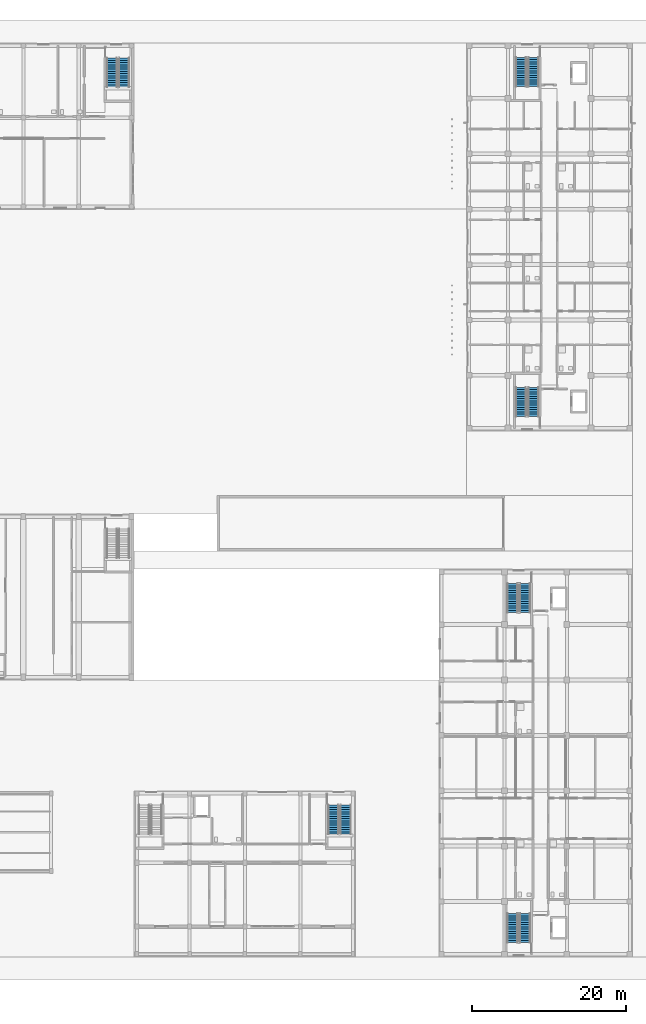
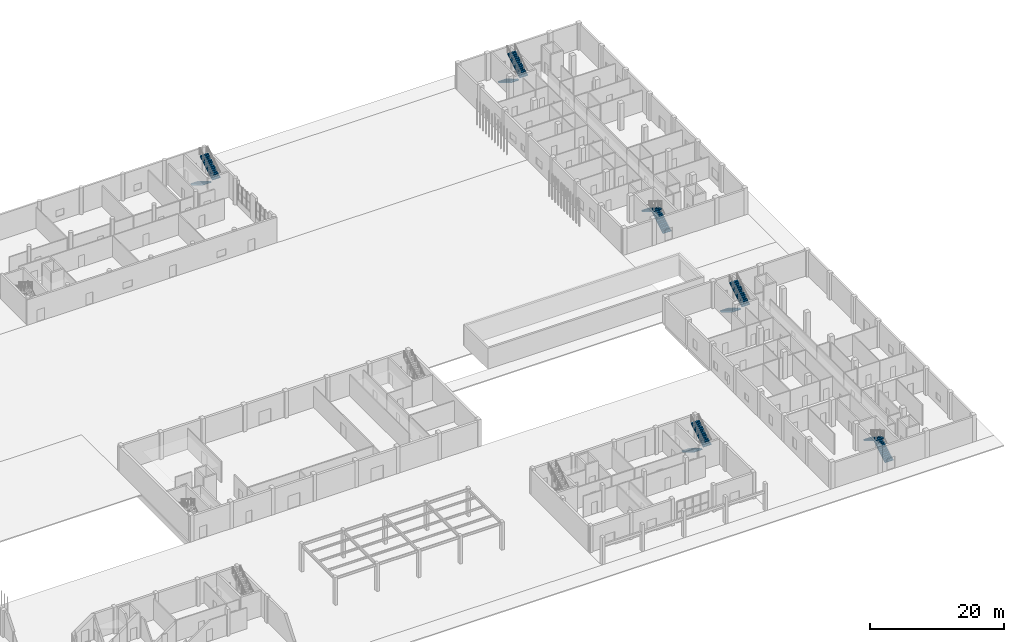
# One storey, part 57 of 85: 12 stair flights, 6 elements without a shape of their own.
"""IFC4 building model written with IfcOpenShell, lengths in metres."""

from ifc_helpers import new_model, si_unit, derived_unit, direction, frame, origin, place, context, subcontext, project, spatial, polyline, outline, extrude, material, type_object, element, aggregate, save


model = new_model("IFC4")

# Units and contexts
model_context = context("Model", 3, precision=1e-05, world=origin(), true_north=direction((0.0, 1.0)))
body_context = subcontext(model_context, "Body", "Model", "MODEL_VIEW")
ifc_project = project(units=[si_unit("LENGTHUNIT", "METRE"), si_unit("AREAUNIT", "SQUARE_METRE"), si_unit("VOLUMEUNIT", "CUBIC_METRE"), si_unit("PLANEANGLEUNIT", "RADIAN"), si_unit("MASSUNIT", "GRAM", prefix="KILO"), derived_unit("THERMALTRANSMITTANCEUNIT", [(si_unit("MASSUNIT", "GRAM", prefix="KILO"), 1), (si_unit("TIMEUNIT", "SECOND"), -3), (si_unit("THERMODYNAMICTEMPERATUREUNIT", "KELVIN"), -1)])], contexts=[model_context])

# Site, building, storey
site_placement = place(None, origin())
site = spatial("IfcSite", under=ifc_project, at=site_placement, CompositionType="ELEMENT")
building_placement = place(site_placement, origin())
building = spatial("IfcBuilding", under=site, at=building_placement, Name="Ochrekiln Boulevard Commons", CompositionType="ELEMENT")
storey_placement = place(building_placement, origin())
storey = spatial("IfcBuildingStorey", under=building, at=storey_placement, Name="L00", CompositionType="ELEMENT", Elevation=0.0)

# Stair, stair flights
ifc_material = material(Name="Concrete C35/45", Category="concrete")
stair_type = type_object("IfcStairType", Name="STR-DL-490", PredefinedType="TWO_STRAIGHT_RUN_STAIR", material=ifc_material)
stair_1_placement = place(storey_placement, origin())
stair_1 = element("IfcStair", 1, at=stair_1_placement, inside=storey, type_object=stair_type, Name="L00 Enclosed Exit Stair ST-B1", PredefinedType="TWO_STRAIGHT_RUN_STAIR")
stair_flight_type = type_object("IfcStairFlightType", Name="SFL-ST-490", PredefinedType="STRAIGHT", material=ifc_material)
stair_flight_1_placement = place(storey_placement, frame((159.89990234375, 70.27001953125, 0.0), z_axis=(0.0, 0.0, 1.0), x_axis=(0.0, 1.0, 0.0)))
stair_flight_1 = element("IfcStairFlight", 2, at=stair_flight_1_placement, type_object=stair_flight_type, Name="ST-B1 flight 1", NumberOfRisers=14, NumberOfTreads=13, PredefinedType="STRAIGHT", RiserHeight=0.175, TreadLength=0.29, context=body_context, shape_type="SweptSolid", body=[
    extrude(outline(polyline([(0.0, 0.0), (0.0, 0.175048828125), (0.2900390625, 0.175048828125), (0.2900390625, 0.35009765625), (0.580078125, 0.35009765625), (0.580078125, 0.52490234375), (0.8701171875, 0.52490234375), (0.8701171875, 0.699951171875), (1.159912109375, 0.699951171875), (1.159912109375, 0.875), (1.449951171875, 0.875), (1.449951171875, 1.050048828125), (1.739990234375, 1.050048828125), (1.739990234375, 1.22509765625), (2.030029296875, 1.22509765625), (2.030029296875, 1.39990234375), (2.320068359375, 1.39990234375), (2.320068359375, 1.574951171875), (2.610107421875, 1.574951171875), (2.610107421875, 1.75), (2.89990234375, 1.75), (2.89990234375, 1.925048828125), (3.18994140625, 1.925048828125), (3.18994140625, 2.10009765625), (3.47998046875, 2.10009765625), (3.47998046875, 2.27490234375), (3.77001953125, 2.27490234375), (3.77001953125, 2.449951171875), (3.77001953125, 2.088134765625), (0.3095703125, 0.0), (0.0, 0.0)])), frame((0.0, 0.699951171875, 0.0), z_axis=(0.0, -1.0, 0.0), x_axis=(1.0, 0.0, 0.0)), (0.0, 0.0, 1.0), 1.39990234375),
])
stair_flight_2_placement = place(storey_placement, frame((158.300048828125, 74.0400390625, 2.449951171875), z_axis=(0.0, 0.0, 1.0), x_axis=(0.0, -1.0, 0.0)))
stair_flight_2 = element("IfcStairFlight", 3, at=stair_flight_2_placement, type_object=stair_flight_type, Name="ST-B1 flight 2", NumberOfRisers=14, NumberOfTreads=13, PredefinedType="STRAIGHT", RiserHeight=0.175, TreadLength=0.29, context=body_context, shape_type="SweptSolid", body=[
    extrude(outline(polyline([(0.0, 0.0), (0.0, 0.175048828125), (0.2900390625, 0.175048828125), (0.2900390625, 0.35009765625), (0.580078125, 0.35009765625), (0.580078125, 0.52490234375), (0.8701171875, 0.52490234375), (0.8701171875, 0.699951171875), (1.159912109375, 0.699951171875), (1.159912109375, 0.875), (1.449951171875, 0.875), (1.449951171875, 1.050048828125), (1.739990234375, 1.050048828125), (1.739990234375, 1.22509765625), (2.030029296875, 1.22509765625), (2.030029296875, 1.39990234375), (2.320068359375, 1.39990234375), (2.320068359375, 1.574951171875), (2.610107421875, 1.574951171875), (2.610107421875, 1.75), (2.89990234375, 1.75), (2.89990234375, 1.925048828125), (3.18994140625, 1.925048828125), (3.18994140625, 2.10009765625), (3.47998046875, 2.10009765625), (3.47998046875, 2.27490234375), (3.77001953125, 2.27490234375), (3.77001953125, 2.449951171875), (3.77001953125, 2.088134765625), (0.3095703125, 0.0), (0.0, 0.0)])), frame((0.0, 0.699951171875, 0.0), z_axis=(0.0, -1.0, 0.0), x_axis=(1.0, 0.0, 0.0)), (0.0, 0.0, 1.0), 1.39990234375),
])
aggregate(stair_1, [stair_flight_1, stair_flight_2])

stair_2_placement = place(storey_placement, origin())
stair_2 = element("IfcStair", 4, at=stair_2_placement, inside=storey, type_object=stair_type, Name="L00 Enclosed Exit Stair ST-B2", PredefinedType="TWO_STRAIGHT_RUN_STAIR")
stair_flight_3_placement = place(storey_placement, frame((158.300048828125, 116.929931640625, 0.0), z_axis=(0.0, 0.0, 1.0), x_axis=(0.0, -1.0, 0.0)))
stair_flight_3 = element("IfcStairFlight", 5, at=stair_flight_3_placement, type_object=stair_flight_type, Name="ST-B2 flight 1", NumberOfRisers=14, NumberOfTreads=13, PredefinedType="STRAIGHT", RiserHeight=0.175, TreadLength=0.29, context=body_context, shape_type="SweptSolid", body=[
    extrude(outline(polyline([(0.0, 0.0), (0.0, 0.175048828125), (0.2900390625, 0.175048828125), (0.2900390625, 0.35009765625), (0.580078125, 0.35009765625), (0.580078125, 0.52490234375), (0.8701171875, 0.52490234375), (0.8701171875, 0.699951171875), (1.159912109375, 0.699951171875), (1.159912109375, 0.875), (1.449951171875, 0.875), (1.449951171875, 1.050048828125), (1.739990234375, 1.050048828125), (1.739990234375, 1.22509765625), (2.030029296875, 1.22509765625), (2.030029296875, 1.39990234375), (2.320068359375, 1.39990234375), (2.320068359375, 1.574951171875), (2.610107421875, 1.574951171875), (2.610107421875, 1.75), (2.89990234375, 1.75), (2.89990234375, 1.925048828125), (3.18994140625, 1.925048828125), (3.18994140625, 2.10009765625), (3.47998046875, 2.10009765625), (3.47998046875, 2.27490234375), (3.77001953125, 2.27490234375), (3.77001953125, 2.449951171875), (3.77001953125, 2.088134765625), (0.3095703125, 0.0), (0.0, 0.0)])), frame((0.0, 0.699951171875, 0.0), z_axis=(0.0, -1.0, 0.0), x_axis=(1.0, 0.0, 0.0)), (0.0, 0.0, 1.0), 1.39990234375),
])
stair_flight_4_placement = place(storey_placement, frame((159.89990234375, 113.159912109375, 2.449951171875), z_axis=(0.0, 0.0, 1.0), x_axis=(0.0, 1.0, 0.0)))
stair_flight_4 = element("IfcStairFlight", 6, at=stair_flight_4_placement, type_object=stair_flight_type, Name="ST-B2 flight 2", NumberOfRisers=14, NumberOfTreads=13, PredefinedType="STRAIGHT", RiserHeight=0.175, TreadLength=0.29, context=body_context, shape_type="SweptSolid", body=[
    extrude(outline(polyline([(0.0, 0.0), (0.0, 0.175048828125), (0.2900390625, 0.175048828125), (0.2900390625, 0.35009765625), (0.580078125, 0.35009765625), (0.580078125, 0.52490234375), (0.8701171875, 0.52490234375), (0.8701171875, 0.699951171875), (1.159912109375, 0.699951171875), (1.159912109375, 0.875), (1.449951171875, 0.875), (1.449951171875, 1.050048828125), (1.739990234375, 1.050048828125), (1.739990234375, 1.22509765625), (2.030029296875, 1.22509765625), (2.030029296875, 1.39990234375), (2.320068359375, 1.39990234375), (2.320068359375, 1.574951171875), (2.610107421875, 1.574951171875), (2.610107421875, 1.75), (2.89990234375, 1.75), (2.89990234375, 1.925048828125), (3.18994140625, 1.925048828125), (3.18994140625, 2.10009765625), (3.47998046875, 2.10009765625), (3.47998046875, 2.27490234375), (3.77001953125, 2.27490234375), (3.77001953125, 2.449951171875), (3.77001953125, 2.088134765625), (0.3095703125, 0.0), (0.0, 0.0)])), frame((0.0, 0.699951171875, 0.0), z_axis=(0.0, -1.0, 0.0), x_axis=(1.0, 0.0, 0.0)), (0.0, 0.0, 1.0), 1.39990234375),
])
aggregate(stair_2, [stair_flight_3, stair_flight_4])

stair_3_placement = place(storey_placement, origin())
stair_3 = element("IfcStair", 7, at=stair_3_placement, inside=storey, type_object=stair_type, Name="L00 Enclosed Exit Stair ST-C1", PredefinedType="TWO_STRAIGHT_RUN_STAIR")
stair_flight_5_placement = place(storey_placement, frame((158.800048828125, 1.8701171875, 0.0), z_axis=(0.0, 0.0, 1.0), x_axis=(0.0, 1.0, 0.0)))
stair_flight_5 = element("IfcStairFlight", 8, at=stair_flight_5_placement, type_object=stair_flight_type, Name="ST-C1 flight 1", NumberOfRisers=14, NumberOfTreads=13, PredefinedType="STRAIGHT", RiserHeight=0.175, TreadLength=0.29, context=body_context, shape_type="SweptSolid", body=[
    extrude(outline(polyline([(0.0, 0.0), (0.0, 0.175048828125), (0.2900390625, 0.175048828125), (0.2900390625, 0.35009765625), (0.580078125, 0.35009765625), (0.580078125, 0.52490234375), (0.8701171875, 0.52490234375), (0.8701171875, 0.699951171875), (1.159912109375, 0.699951171875), (1.159912109375, 0.875), (1.449951171875, 0.875), (1.449951171875, 1.050048828125), (1.739990234375, 1.050048828125), (1.739990234375, 1.22509765625), (2.030029296875, 1.22509765625), (2.030029296875, 1.39990234375), (2.320068359375, 1.39990234375), (2.320068359375, 1.574951171875), (2.610107421875, 1.574951171875), (2.610107421875, 1.75), (2.89990234375, 1.75), (2.89990234375, 1.925048828125), (3.18994140625, 1.925048828125), (3.18994140625, 2.10009765625), (3.47998046875, 2.10009765625), (3.47998046875, 2.27490234375), (3.77001953125, 2.27490234375), (3.77001953125, 2.449951171875), (3.77001953125, 2.088134765625), (0.3095703125, 0.0), (0.0, 0.0)])), frame((0.0, 0.699951171875, 0.0), z_axis=(0.0, -1.0, 0.0), x_axis=(1.0, 0.0, 0.0)), (0.0, 0.0, 1.0), 1.39990234375),
])
stair_flight_6_placement = place(storey_placement, frame((157.199951171875, 5.639892578125, 2.449951171875), z_axis=(0.0, 0.0, 1.0), x_axis=(0.0, -1.0, 0.0)))
stair_flight_6 = element("IfcStairFlight", 9, at=stair_flight_6_placement, type_object=stair_flight_type, Name="ST-C1 flight 2", NumberOfRisers=14, NumberOfTreads=13, PredefinedType="STRAIGHT", RiserHeight=0.175, TreadLength=0.29, context=body_context, shape_type="SweptSolid", body=[
    extrude(outline(polyline([(0.0, 0.0), (0.0, 0.175048828125), (0.2900390625, 0.175048828125), (0.2900390625, 0.35009765625), (0.580078125, 0.35009765625), (0.580078125, 0.52490234375), (0.8701171875, 0.52490234375), (0.8701171875, 0.699951171875), (1.159912109375, 0.699951171875), (1.159912109375, 0.875), (1.449951171875, 0.875), (1.449951171875, 1.050048828125), (1.739990234375, 1.050048828125), (1.739990234375, 1.22509765625), (2.030029296875, 1.22509765625), (2.030029296875, 1.39990234375), (2.320068359375, 1.39990234375), (2.320068359375, 1.574951171875), (2.610107421875, 1.574951171875), (2.610107421875, 1.75), (2.89990234375, 1.75), (2.89990234375, 1.925048828125), (3.18994140625, 1.925048828125), (3.18994140625, 2.10009765625), (3.47998046875, 2.10009765625), (3.47998046875, 2.27490234375), (3.77001953125, 2.27490234375), (3.77001953125, 2.449951171875), (3.77001953125, 2.088134765625), (0.3095703125, 0.0), (0.0, 0.0)])), frame((0.0, 0.699951171875, 0.0), z_axis=(0.0, -1.0, 0.0), x_axis=(1.0, 0.0, 0.0)), (0.0, 0.0, 1.0), 1.39990234375),
])
aggregate(stair_3, [stair_flight_5, stair_flight_6])

stair_4_placement = place(storey_placement, origin())
stair_4 = element("IfcStair", 10, at=stair_4_placement, inside=storey, type_object=stair_type, Name="L00 Enclosed Exit Stair ST-C2", PredefinedType="TWO_STRAIGHT_RUN_STAIR")
stair_flight_7_placement = place(storey_placement, frame((157.199951171875, 48.530029296875, 0.0), z_axis=(0.0, 0.0, 1.0), x_axis=(0.0, -1.0, 0.0)))
stair_flight_7 = element("IfcStairFlight", 11, at=stair_flight_7_placement, type_object=stair_flight_type, Name="ST-C2 flight 1", NumberOfRisers=14, NumberOfTreads=13, PredefinedType="STRAIGHT", RiserHeight=0.175, TreadLength=0.29, context=body_context, shape_type="SweptSolid", body=[
    extrude(outline(polyline([(0.0, 0.0), (0.0, 0.175048828125), (0.2900390625, 0.175048828125), (0.2900390625, 0.35009765625), (0.580078125, 0.35009765625), (0.580078125, 0.52490234375), (0.8701171875, 0.52490234375), (0.8701171875, 0.699951171875), (1.159912109375, 0.699951171875), (1.159912109375, 0.875), (1.449951171875, 0.875), (1.449951171875, 1.050048828125), (1.739990234375, 1.050048828125), (1.739990234375, 1.22509765625), (2.030029296875, 1.22509765625), (2.030029296875, 1.39990234375), (2.320068359375, 1.39990234375), (2.320068359375, 1.574951171875), (2.610107421875, 1.574951171875), (2.610107421875, 1.75), (2.89990234375, 1.75), (2.89990234375, 1.925048828125), (3.18994140625, 1.925048828125), (3.18994140625, 2.10009765625), (3.47998046875, 2.10009765625), (3.47998046875, 2.27490234375), (3.77001953125, 2.27490234375), (3.77001953125, 2.449951171875), (3.77001953125, 2.088134765625), (0.3095703125, 0.0), (0.0, 0.0)])), frame((0.0, 0.699951171875, 0.0), z_axis=(0.0, -1.0, 0.0), x_axis=(1.0, 0.0, 0.0)), (0.0, 0.0, 1.0), 1.39990234375),
])
stair_flight_8_placement = place(storey_placement, frame((158.800048828125, 44.760009765625, 2.449951171875), z_axis=(0.0, 0.0, 1.0), x_axis=(0.0, 1.0, 0.0)))
stair_flight_8 = element("IfcStairFlight", 12, at=stair_flight_8_placement, type_object=stair_flight_type, Name="ST-C2 flight 2", NumberOfRisers=14, NumberOfTreads=13, PredefinedType="STRAIGHT", RiserHeight=0.175, TreadLength=0.29, context=body_context, shape_type="SweptSolid", body=[
    extrude(outline(polyline([(0.0, 0.0), (0.0, 0.175048828125), (0.2900390625, 0.175048828125), (0.2900390625, 0.35009765625), (0.580078125, 0.35009765625), (0.580078125, 0.52490234375), (0.8701171875, 0.52490234375), (0.8701171875, 0.699951171875), (1.159912109375, 0.699951171875), (1.159912109375, 0.875), (1.449951171875, 0.875), (1.449951171875, 1.050048828125), (1.739990234375, 1.050048828125), (1.739990234375, 1.22509765625), (2.030029296875, 1.22509765625), (2.030029296875, 1.39990234375), (2.320068359375, 1.39990234375), (2.320068359375, 1.574951171875), (2.610107421875, 1.574951171875), (2.610107421875, 1.75), (2.89990234375, 1.75), (2.89990234375, 1.925048828125), (3.18994140625, 1.925048828125), (3.18994140625, 2.10009765625), (3.47998046875, 2.10009765625), (3.47998046875, 2.27490234375), (3.77001953125, 2.27490234375), (3.77001953125, 2.449951171875), (3.77001953125, 2.088134765625), (0.3095703125, 0.0), (0.0, 0.0)])), frame((0.0, 0.699951171875, 0.0), z_axis=(0.0, -1.0, 0.0), x_axis=(1.0, 0.0, 0.0)), (0.0, 0.0, 1.0), 1.39990234375),
])
aggregate(stair_4, [stair_flight_7, stair_flight_8])

stair_5_placement = place(storey_placement, origin())
stair_5 = element("IfcStair", 13, at=stair_5_placement, inside=storey, type_object=stair_type, Name="L00 Enclosed Exit Stair ST-N2", PredefinedType="TWO_STRAIGHT_RUN_STAIR")
stair_flight_9_placement = place(storey_placement, frame((105.10009765625, 116.85009765625, 0.0), z_axis=(0.0, 0.0, 1.0), x_axis=(0.0, -1.0, 0.0)))
stair_flight_9 = element("IfcStairFlight", 14, at=stair_flight_9_placement, type_object=stair_flight_type, Name="ST-N2 flight 1", NumberOfRisers=14, NumberOfTreads=13, PredefinedType="STRAIGHT", RiserHeight=0.175, TreadLength=0.29, context=body_context, shape_type="SweptSolid", body=[
    extrude(outline(polyline([(0.0, 0.0), (0.0, 0.175048828125), (0.2900390625, 0.175048828125), (0.2900390625, 0.35009765625), (0.580078125, 0.35009765625), (0.580078125, 0.52490234375), (0.8701171875, 0.52490234375), (0.8701171875, 0.699951171875), (1.159912109375, 0.699951171875), (1.159912109375, 0.875), (1.449951171875, 0.875), (1.449951171875, 1.050048828125), (1.739990234375, 1.050048828125), (1.739990234375, 1.22509765625), (2.030029296875, 1.22509765625), (2.030029296875, 1.39990234375), (2.320068359375, 1.39990234375), (2.320068359375, 1.574951171875), (2.610107421875, 1.574951171875), (2.610107421875, 1.75), (2.89990234375, 1.75), (2.89990234375, 1.925048828125), (3.18994140625, 1.925048828125), (3.18994140625, 2.10009765625), (3.47998046875, 2.10009765625), (3.47998046875, 2.27490234375), (3.77001953125, 2.27490234375), (3.77001953125, 2.449951171875), (3.77001953125, 2.088134765625), (0.3095703125, 0.0), (0.0, 0.0)])), frame((0.0, 0.699951171875, 0.0), z_axis=(0.0, -1.0, 0.0), x_axis=(1.0, 0.0, 0.0)), (0.0, 0.0, 1.0), 1.39990234375),
])
stair_flight_10_placement = place(storey_placement, frame((106.699951171875, 113.080078125, 2.449951171875), z_axis=(0.0, 0.0, 1.0), x_axis=(0.0, 1.0, 0.0)))
stair_flight_10 = element("IfcStairFlight", 15, at=stair_flight_10_placement, type_object=stair_flight_type, Name="ST-N2 flight 2", NumberOfRisers=14, NumberOfTreads=13, PredefinedType="STRAIGHT", RiserHeight=0.175, TreadLength=0.29, context=body_context, shape_type="SweptSolid", body=[
    extrude(outline(polyline([(0.0, 0.0), (0.0, 0.175048828125), (0.2900390625, 0.175048828125), (0.2900390625, 0.35009765625), (0.580078125, 0.35009765625), (0.580078125, 0.52490234375), (0.8701171875, 0.52490234375), (0.8701171875, 0.699951171875), (1.159912109375, 0.699951171875), (1.159912109375, 0.875), (1.449951171875, 0.875), (1.449951171875, 1.050048828125), (1.739990234375, 1.050048828125), (1.739990234375, 1.22509765625), (2.030029296875, 1.22509765625), (2.030029296875, 1.39990234375), (2.320068359375, 1.39990234375), (2.320068359375, 1.574951171875), (2.610107421875, 1.574951171875), (2.610107421875, 1.75), (2.89990234375, 1.75), (2.89990234375, 1.925048828125), (3.18994140625, 1.925048828125), (3.18994140625, 2.10009765625), (3.47998046875, 2.10009765625), (3.47998046875, 2.27490234375), (3.77001953125, 2.27490234375), (3.77001953125, 2.449951171875), (3.77001953125, 2.088134765625), (0.3095703125, 0.0), (0.0, 0.0)])), frame((0.0, 0.699951171875, 0.0), z_axis=(0.0, -1.0, 0.0), x_axis=(1.0, 0.0, 0.0)), (0.0, 0.0, 1.0), 1.39990234375),
])
aggregate(stair_5, [stair_flight_9, stair_flight_10])

stair_6_placement = place(storey_placement, origin())
stair_6 = element("IfcStair", 16, at=stair_6_placement, inside=storey, type_object=stair_type, Name="L00 Enclosed Exit Stair ST-E2", PredefinedType="TWO_STRAIGHT_RUN_STAIR")
stair_flight_11_placement = place(storey_placement, frame((133.89990234375, 19.72998046875, 0.0), z_axis=(0.0, 0.0, 1.0), x_axis=(0.0, -1.0, 0.0)))
stair_flight_11 = element("IfcStairFlight", 17, at=stair_flight_11_placement, type_object=stair_flight_type, Name="ST-E2 flight 1", NumberOfRisers=14, NumberOfTreads=13, PredefinedType="STRAIGHT", RiserHeight=0.175, TreadLength=0.29, context=body_context, shape_type="SweptSolid", body=[
    extrude(outline(polyline([(0.0, 0.0), (0.0, 0.175048828125), (0.2900390625, 0.175048828125), (0.2900390625, 0.35009765625), (0.580078125, 0.35009765625), (0.580078125, 0.52490234375), (0.8701171875, 0.52490234375), (0.8701171875, 0.699951171875), (1.159912109375, 0.699951171875), (1.159912109375, 0.875), (1.449951171875, 0.875), (1.449951171875, 1.050048828125), (1.739990234375, 1.050048828125), (1.739990234375, 1.22509765625), (2.030029296875, 1.22509765625), (2.030029296875, 1.39990234375), (2.320068359375, 1.39990234375), (2.320068359375, 1.574951171875), (2.610107421875, 1.574951171875), (2.610107421875, 1.75), (2.89990234375, 1.75), (2.89990234375, 1.925048828125), (3.18994140625, 1.925048828125), (3.18994140625, 2.10009765625), (3.47998046875, 2.10009765625), (3.47998046875, 2.27490234375), (3.77001953125, 2.27490234375), (3.77001953125, 2.449951171875), (3.77001953125, 2.088134765625), (0.3095703125, 0.0), (0.0, 0.0)])), frame((0.0, 0.699951171875, 0.0), z_axis=(0.0, -1.0, 0.0), x_axis=(1.0, 0.0, 0.0)), (0.0, 0.0, 1.0), 1.39990234375),
])
stair_flight_12_placement = place(storey_placement, frame((135.5, 15.9599609375, 2.449951171875), z_axis=(0.0, 0.0, 1.0), x_axis=(0.0, 1.0, 0.0)))
stair_flight_12 = element("IfcStairFlight", 18, at=stair_flight_12_placement, type_object=stair_flight_type, Name="ST-E2 flight 2", NumberOfRisers=14, NumberOfTreads=13, PredefinedType="STRAIGHT", RiserHeight=0.175, TreadLength=0.29, context=body_context, shape_type="SweptSolid", body=[
    extrude(outline(polyline([(0.0, 0.0), (0.0, 0.175048828125), (0.2900390625, 0.175048828125), (0.2900390625, 0.35009765625), (0.580078125, 0.35009765625), (0.580078125, 0.52490234375), (0.8701171875, 0.52490234375), (0.8701171875, 0.699951171875), (1.159912109375, 0.699951171875), (1.159912109375, 0.875), (1.449951171875, 0.875), (1.449951171875, 1.050048828125), (1.739990234375, 1.050048828125), (1.739990234375, 1.22509765625), (2.030029296875, 1.22509765625), (2.030029296875, 1.39990234375), (2.320068359375, 1.39990234375), (2.320068359375, 1.574951171875), (2.610107421875, 1.574951171875), (2.610107421875, 1.75), (2.89990234375, 1.75), (2.89990234375, 1.925048828125), (3.18994140625, 1.925048828125), (3.18994140625, 2.10009765625), (3.47998046875, 2.10009765625), (3.47998046875, 2.27490234375), (3.77001953125, 2.27490234375), (3.77001953125, 2.449951171875), (3.77001953125, 2.088134765625), (0.3095703125, 0.0), (0.0, 0.0)])), frame((0.0, 0.699951171875, 0.0), z_axis=(0.0, -1.0, 0.0), x_axis=(1.0, 0.0, 0.0)), (0.0, 0.0, 1.0), 1.39990234375),
])
aggregate(stair_6, [stair_flight_11, stair_flight_12])

save(model, "model.ifc")
